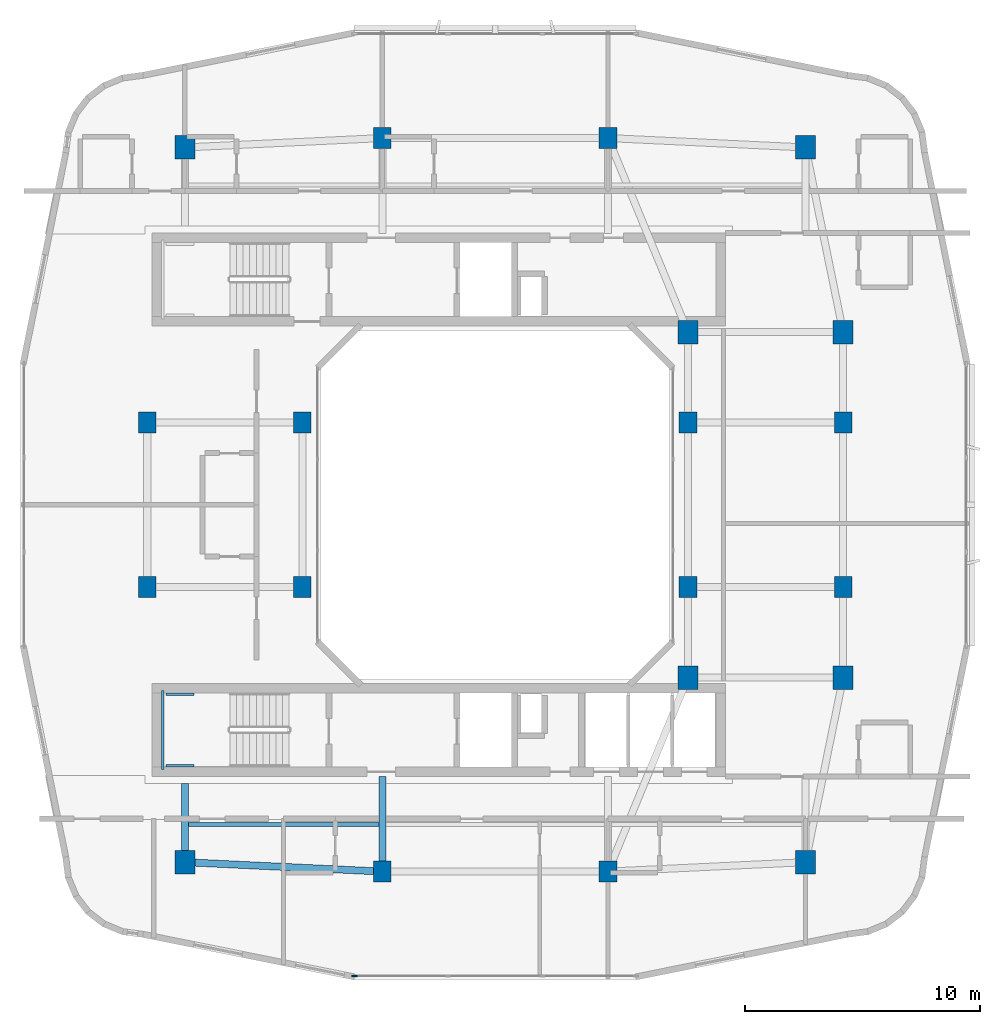
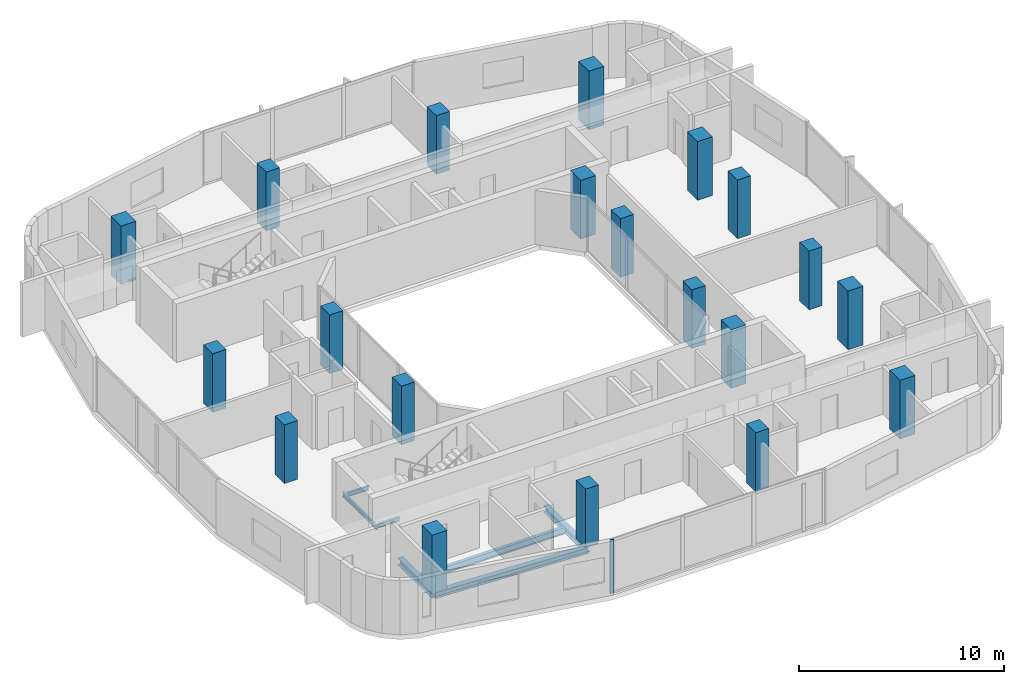
# One storey, part 1 of 14: 20 columns, 7 beams, 1 member, 1 element without a shape of its own.
"""IFC4 building model written with IfcOpenShell, lengths in metres."""

import ifcopenshell
import ifcopenshell.guid

model = None  # the IFC model being written
_history = None  # IfcOwnerHistory: only IFC2X3 demands one
_inside = {}  # id of a spatial element -> (the spatial element, [elements in it])
_under = {}  # id of a project, library or spatial element -> (it, [spatial elements below it])
_declared = {}  # id of a project -> (the project, [libraries it declares])
_typed = {}  # id of a type object -> (the type object, [elements of that type])
_made_of = {}  # id of a material, layer set ... -> (it, [elements and type objects made of it])


def new_model(schema):
    """Start an empty IFC model of exactly this schema.

    Asked for "IFC4X3", IfcOpenShell would pick the latest addendum, in which some entities
    have other attributes; the version numbers below select the first issue.
    IFC2X3 requires an IfcOwnerHistory on every rooted entity: one is made here for all.
    """
    global model, _history
    if schema == "IFC4X3":
        model = ifcopenshell.file(schema_version=(4, 3, 0, 0))
    else:
        model = ifcopenshell.file(schema=schema)
    _inside.clear()
    _under.clear()
    _declared.clear()
    _typed.clear()
    _made_of.clear()
    _history = None
    if model.schema == "IFC2X3":
        org = make("IfcOrganization", Name="unknown")
        user = make(
            "IfcPersonAndOrganization",
            ThePerson=make("IfcPerson", FamilyName="unknown"),
            TheOrganization=org,
        )
        app = make(
            "IfcApplication",
            ApplicationDeveloper=org,
            Version="unknown",
            ApplicationFullName="unknown",
            ApplicationIdentifier="unknown",
        )
        _history = make(
            "IfcOwnerHistory",
            OwningUser=user,
            OwningApplication=app,
            ChangeAction="ADDED",
            CreationDate=0,
        )
    return model


def make(cls, **values):
    """One entity of the class cls with the attributes given. An attribute that is None is left unset."""
    return model.create_entity(
        cls, **{name: value for name, value in values.items() if value is not None}
    )


def rooted(cls, **values):
    """An entity with a GlobalId (a new one), such as an element, a storey or a relation."""
    return make(cls, GlobalId=ifcopenshell.guid.new(), OwnerHistory=_history, **values)


def si_unit(unit_type, name, prefix=None):
    """IfcSIUnit, for example si_unit("LENGTHUNIT", "METRE", prefix="MILLI")."""
    return make("IfcSIUnit", UnitType=unit_type, Prefix=prefix, Name=name)


def derived_unit(unit_type, elements):
    """IfcDerivedUnit: a product of units, each with its exponent."""
    return make(
        "IfcDerivedUnit",
        Elements=[
            make("IfcDerivedUnitElement", Unit=unit, Exponent=power)
            for unit, power in elements
        ],
        UnitType=unit_type,
    )


def assignment(units):
    """IfcUnitAssignment: the units of a project."""
    return None if units is None else make("IfcUnitAssignment", Units=units)


def point(xyz):
    """IfcCartesianPoint."""
    return None if xyz is None else make("IfcCartesianPoint", Coordinates=xyz)


def direction(xyz):
    """IfcDirection."""
    return None if xyz is None else make("IfcDirection", DirectionRatios=xyz)


def frame(location, z_axis=None, x_axis=None):
    """IfcAxis2Placement3D, a coordinate frame: its origin and axes. An axis left out is left unset."""
    return make(
        "IfcAxis2Placement3D",
        Location=point(location),
        Axis=direction(z_axis),
        RefDirection=direction(x_axis),
    )


def frame_2d(location, x_axis=None):
    """IfcAxis2Placement2D, a coordinate frame in the plane: its origin and x axis."""
    return make(
        "IfcAxis2Placement2D", Location=point(location), RefDirection=direction(x_axis)
    )


def origin():
    """The frame at (0, 0, 0) with its axes left unset."""
    return frame((0.0, 0.0, 0.0))


def origin_2d():
    """The frame at (0, 0) in the plane with its x axis left unset."""
    return frame_2d((0.0, 0.0))


def place(relative_to, where):
    """IfcLocalPlacement: puts the frame where relative to a parent placement (None: the world)."""
    return make(
        "IfcLocalPlacement", PlacementRelTo=relative_to, RelativePlacement=where
    )


def context(
    kind, dimensions, precision=None, world=None, true_north=None, identifier=None
):
    """IfcGeometricRepresentationContext, for example the 3D "Model" context."""
    return make(
        "IfcGeometricRepresentationContext",
        ContextIdentifier=identifier,
        ContextType=kind,
        CoordinateSpaceDimension=dimensions,
        Precision=precision,
        WorldCoordinateSystem=world,
        TrueNorth=true_north,
    )


def subcontext(parent, identifier, kind, view, scale=None):
    """IfcGeometricRepresentationSubContext, for example "Body" below "Model"."""
    return make(
        "IfcGeometricRepresentationSubContext",
        ContextIdentifier=identifier,
        ContextType=kind,
        ParentContext=parent,
        TargetScale=scale,
        TargetView=view,
    )


def project(units=None, contexts=None):
    """IfcProject with its units and contexts."""
    return rooted(
        "IfcProject",
        Name="project",
        RepresentationContexts=contexts,
        UnitsInContext=assignment(units),
    )


def spatial(cls, under=None, at=None, **own):
    """A site, building, storey or space (cls), placed at a placement, below another one or the project."""
    s = rooted(cls, ObjectPlacement=at, **own)
    if under is not None:
        _under.setdefault(under.id(), (under, []))[1].append(s)
    return s


def profile(cls, at=None, kind="AREA", **sizes):
    """A parametric profile (cls). Its sizes go by their IFC names, for example OverallWidth=200.0."""
    return make(cls, ProfileType=kind, Position=at, **sizes)


def rectangle(**sizes):
    """IfcRectangleProfileDef."""
    return profile("IfcRectangleProfileDef", **sizes)


def i_section(**sizes):
    """IfcIShapeProfileDef."""
    return profile("IfcIShapeProfileDef", **sizes)


def extrude(swept, where, along, depth):
    """IfcExtrudedAreaSolid: the profile swept, set in the frame where, extruded along a direction by depth."""
    return make(
        "IfcExtrudedAreaSolid",
        SweptArea=swept,
        Position=where,
        ExtrudedDirection=direction(along),
        Depth=depth,
    )


def shape(context_of_items, identifier, shape_type, items):
    """IfcShapeRepresentation: the items that make up one representation, for example the "Body"."""
    return make(
        "IfcShapeRepresentation",
        ContextOfItems=context_of_items,
        RepresentationIdentifier=identifier,
        RepresentationType=shape_type,
        Items=items,
    )


def material(Name=None, Category=None):
    """IfcMaterial."""
    return make("IfcMaterial", Name=Name, Category=Category)


def layer(
    of_material, thickness, ventilated=None, Name=None, Category=None, Priority=None
):
    """IfcMaterialLayer: one layer of a wall or slab, of a material (None: an air gap)."""
    return make(
        "IfcMaterialLayer",
        Material=of_material,
        LayerThickness=thickness,
        IsVentilated=ventilated,
        Name=Name,
        Category=Category,
        Priority=Priority,
    )


def layer_set(layers, Name=None):
    """IfcMaterialLayerSet."""
    return make("IfcMaterialLayerSet", MaterialLayers=layers, LayerSetName=Name)


def material_profile(
    of_material, cross_section, Name=None, Category=None, Priority=None
):
    """IfcMaterialProfile: a cross section and its material."""
    return make(
        "IfcMaterialProfile",
        Name=Name,
        Material=of_material,
        Profile=cross_section,
        Priority=Priority,
        Category=Category,
    )


def profile_set(profiles, Name=None, composite=None):
    """IfcMaterialProfileSet."""
    return make(
        "IfcMaterialProfileSet",
        Name=Name,
        MaterialProfiles=profiles,
        CompositeProfile=composite,
    )


def made_of(thing, what):
    """Note that an element or type object is made of a material, layer set ...; save() writes the relation."""
    if what is not None:
        _made_of.setdefault(what.id(), (what, []))[1].append(thing)
    return thing


def type_object(cls, material=None, **own):
    """A type object (cls), such as IfcWallType, which elements share."""
    return made_of(rooted(cls, **own), material)


def element(
    cls,
    number,
    at=None,
    inside=None,
    cuts=None,
    type_object=None,
    material=None,
    context=None,
    identifier="Body",
    shape_type=None,
    held_by="IfcProductDefinitionShape",
    body=None,
    shapes=None,
    **own,
):
    """One element of the class cls, such as IfcWall. Its Tag is "e" and its number.

    at: its placement. inside: the storey or other place that contains it. cuts: it is an
    opening in that element (IfcRelVoidsElement). A single representation is given by context,
    identifier, shape_type and body (its items); several are given by shapes. held_by: the class
    of the entity that holds the representations. save() writes the other relations.
    """
    e = rooted(cls, Tag="e%d" % number, ObjectPlacement=at, **own)
    if body is not None:
        shapes = [shape(context, identifier, shape_type, body)]
    if shapes is not None:
        e.Representation = make(held_by, Representations=shapes)
    if inside is not None:
        _inside.setdefault(inside.id(), (inside, []))[1].append(e)
    if cuts is not None:
        rooted(
            "IfcRelVoidsElement", RelatingBuildingElement=cuts, RelatedOpeningElement=e
        )
    if type_object is not None:
        _typed.setdefault(type_object.id(), (type_object, []))[1].append(e)
    return made_of(e, material)


def aggregate(whole, parts):
    """IfcRelAggregates: a whole, such as a stair, and the parts it consists of."""
    return rooted("IfcRelAggregates", RelatingObject=whole, RelatedObjects=parts)


def save(model, path):
    """Write the relations noted so far, then the file.

    IfcRelAggregates (storeys below a building ...), IfcRelContainedInSpatialStructure (elements
    in a storey), IfcRelDefinesByType, IfcRelAssociatesMaterial and IfcRelDeclares: one each for
    every whole, place, type object, material and project.
    """
    for whole, parts in _under.values():
        aggregate(whole, parts)
    for where, things in _inside.values():
        rooted(
            "IfcRelContainedInSpatialStructure",
            RelatedElements=things,
            RelatingStructure=where,
        )
    for kind, things in _typed.values():
        rooted("IfcRelDefinesByType", RelatedObjects=things, RelatingType=kind)
    for what, things in _made_of.values():
        rooted("IfcRelAssociatesMaterial", RelatedObjects=things, RelatingMaterial=what)
    for by, libraries in _declared.values():
        rooted("IfcRelDeclares", RelatingContext=by, RelatedDefinitions=libraries)
    model.write(path)


model = new_model("IFC4")

# Units and contexts
model_context = context("Model", 3, precision=1e-05, world=origin(), true_north=direction((0.0, 1.0)))
body_context = subcontext(model_context, "Body", "Model", "MODEL_VIEW")
ifc_project = project(units=[si_unit("LENGTHUNIT", "METRE"), si_unit("AREAUNIT", "SQUARE_METRE"), si_unit("VOLUMEUNIT", "CUBIC_METRE"), si_unit("PLANEANGLEUNIT", "RADIAN"), si_unit("MASSUNIT", "GRAM", prefix="KILO"), derived_unit("THERMALTRANSMITTANCEUNIT", [(si_unit("POWERUNIT", "WATT"), 1), (si_unit("LENGTHUNIT", "METRE"), -2), (si_unit("THERMODYNAMICTEMPERATUREUNIT", "KELVIN"), -1)])], contexts=[model_context])

# Site, building, storey
site_placement = place(None, origin())
site = spatial("IfcSite", under=ifc_project, at=site_placement, CompositionType="ELEMENT")
building_placement = place(site_placement, origin())
building = spatial("IfcBuilding", under=site, at=building_placement, Name="Kivonza Crest Hotel", CompositionType="ELEMENT")
storey_placement = place(building_placement, frame((0.0, 0.0, 159.0)))
storey = spatial("IfcBuildingStorey", under=building, at=storey_placement, Name="L43", CompositionType="ELEMENT", Elevation=159.0)

# Columns
ifc_material_1 = material(Name="Concrete C50/60", Category="concrete")
ifc_material_profile_1 = material_profile(ifc_material_1, rectangle(XDim=0.85009765625, YDim=1.0, at=origin_2d()), Name="RC 1000x850")
ifc_profile_set_1 = profile_set([ifc_material_profile_1], Name="Concrete C50/60")
column_type_1 = type_object("IfcColumnType", Name="CL-RC-1000x850", PredefinedType="COLUMN", material=ifc_profile_set_1)
for number, where, z_axis, x_axis, name in (
    (1, (7.800048828125, 9.800048828125, 0.0), (0.0, 0.0, 1.0), (1.0, 0.0, 0.0), "Tower T1 L43 column SW"),
    (2, (34.199951171875, 9.800048828125, 0.0), (0.0, 0.0, 1.0), (1.0, 0.0, 0.0), "Tower T1 L43 column SE"),
    (3, (34.199951171875, 40.199951171875, 0.0), (0.0, 0.0, 1.0), (1.0, 0.0, 0.0), "Tower T1 L43 column NE"),
    (4, (7.800048828125, 40.199951171875, 0.0), (0.0, 0.0, 1.0), (1.0, 0.0, 0.0), "Tower T1 L43 column NW"),
    (5, (35.800048828125, 17.64990234375, 0.0), (0.0, 0.0, 1.0), (1.0, 0.0, 0.0), "Tower T1 L43 column PSE"),
    (6, (35.800048828125, 32.35009765625, 0.0), (0.0, 0.0, 1.0), (1.0, 0.0, 0.0), "Tower T1 L43 column PNE"),
    (7, (29.199951171875, 17.64990234375, 0.0), (0.0, 0.0, 1.0), (1.0, 0.0, 0.0), "Tower T1 L43 column TSE"),
    (8, (29.199951171875, 32.35009765625, 0.0), (0.0, 0.0, 1.0), (1.0, 0.0, 0.0), "Tower T1 L43 column TNE"),
):
    element("IfcColumn", number, at=place(storey_placement, frame(where, z_axis=z_axis, x_axis=x_axis)), inside=storey, type_object=column_type_1, Name=name, PredefinedType="COLUMN", context=body_context, shape_type="SweptSolid", body=[
        extrude(rectangle(XDim=0.85009765625, YDim=1.0, at=origin_2d()), origin(), (0.0, 0.0, 1.0), 3.5),
    ])
ifc_material_profile_2 = material_profile(ifc_material_1, rectangle(XDim=0.75, YDim=0.89990234375, at=origin_2d()), Name="RC 900x750")
ifc_profile_set_2 = profile_set([ifc_material_profile_2], Name="Concrete C50/60")
column_type_2 = type_object("IfcColumnType", Name="CL-RC-900x750", PredefinedType="COLUMN", material=ifc_profile_set_2)
for number, where, z_axis, x_axis, name in (
    (9, (16.199951171875, 9.39990234375, 0.0), (0.0, 0.0, 1.0), (1.0, 0.0, 0.0), "Tower T1 L43 column S1"),
    (10, (25.800048828125, 9.39990234375, 0.0), (0.0, 0.0, 1.0), (1.0, 0.0, 0.0), "Tower T1 L43 column S2"),
    (11, (16.199951171875, 40.60009765625, 0.0), (0.0, 0.0, 1.0), (1.0, 0.0, 0.0), "Tower T1 L43 column N1"),
    (12, (25.800048828125, 40.60009765625, 0.0), (0.0, 0.0, 1.0), (1.0, 0.0, 0.0), "Tower T1 L43 column N2"),
    (13, (6.199951171875, 21.5, 0.0), (0.0, 0.0, 1.0), (1.0, 0.0, 0.0), "Tower T1 L43 column W1"),
    (14, (6.199951171875, 28.5, 0.0), (0.0, 0.0, 1.0), (1.0, 0.0, 0.0), "Tower T1 L43 column W2"),
    (15, (35.800048828125, 21.5, 0.0), (0.0, 0.0, 1.0), (1.0, 0.0, 0.0), "Tower T1 L43 column E1"),
    (16, (35.800048828125, 28.5, 0.0), (0.0, 0.0, 1.0), (1.0, 0.0, 0.0), "Tower T1 L43 column E2"),
    (17, (12.800048828125, 21.5, 0.0), (0.0, 0.0, 1.0), (1.0, 0.0, 0.0), "Tower T1 L43 column WL1"),
    (18, (12.800048828125, 28.5, 0.0), (0.0, 0.0, 1.0), (1.0, 0.0, 0.0), "Tower T1 L43 column WL2"),
    (19, (29.199951171875, 21.5, 0.0), (0.0, 0.0, 1.0), (1.0, 0.0, 0.0), "Tower T1 L43 column WR1"),
    (20, (29.199951171875, 28.5, 0.0), (0.0, 0.0, 1.0), (1.0, 0.0, 0.0), "Tower T1 L43 column WR2"),
):
    element("IfcColumn", number, at=place(storey_placement, frame(where, z_axis=z_axis, x_axis=x_axis)), inside=storey, type_object=column_type_2, Name=name, PredefinedType="COLUMN", context=body_context, shape_type="SweptSolid", body=[
        extrude(rectangle(XDim=0.75, YDim=0.89990234375, at=origin_2d()), origin(), (0.0, 0.0, 1.0), 3.5),
    ])

# Beams
ifc_material_2 = material(Name="Steel S355", Category="steel")
ifc_material_profile_3 = material_profile(ifc_material_2, i_section(OverallWidth=0.300048828125, OverallDepth=0.360107421875, WebThickness=0.012451171875, FlangeThickness=0.0224609375, FilletRadius=0.027099609375, at=origin_2d()), Name="HEB 360")
ifc_profile_set_3 = profile_set([ifc_material_profile_3], Name="Steel S355")
beam_type_1 = type_object("IfcBeamType", Name="BM-HEB360", PredefinedType="SPANDREL", material=ifc_profile_set_3)
beam_1_placement = place(storey_placement, frame((7.800048828125, 9.800048828125, -0.4599609375), z_axis=(0.998867283688, -0.047583080799, 0.0), x_axis=(0.047583080799, 0.998867283688, 0.0)))
element("IfcBeam", 21, at=beam_1_placement, inside=storey, type_object=beam_type_1, Name="Tower T1 L43 perimeter spandrel SW-S1", PredefinedType="SPANDREL", context=body_context, shape_type="SweptSolid", body=[
    extrude(i_section(OverallWidth=0.300048828125, OverallDepth=0.360107421875, WebThickness=0.012451171875, FlangeThickness=0.0224609375, FilletRadius=0.027099609375, at=origin_2d()), origin(), (0.0, 0.0, 1.0), 8.409423828125),
])
ifc_material_profile_4 = material_profile(ifc_material_2, i_section(OverallWidth=0.300048828125, OverallDepth=0.39990234375, WebThickness=0.013427734375, FlangeThickness=0.02392578125, FilletRadius=0.027099609375, at=origin_2d()), Name="HEB 400")
ifc_profile_set_4 = profile_set([ifc_material_profile_4], Name="Steel S355")
beam_type_2 = type_object("IfcBeamType", Name="BM-HEB400", PredefinedType="BEAM", material=ifc_profile_set_4)
beam_2_placement = place(storey_placement, frame((7.800048828125, 9.800048828125, -0.47998046875), z_axis=(0.0, 1.0, 0.0), x_axis=(-1.0, 0.0, 0.0)))
element("IfcBeam", 22, at=beam_2_placement, inside=storey, type_object=beam_type_2, Name="Tower T1 L43 radial core girder RSW", PredefinedType="BEAM", context=body_context, shape_type="SweptSolid", body=[
    extrude(i_section(OverallWidth=0.300048828125, OverallDepth=0.39990234375, WebThickness=0.013427734375, FlangeThickness=0.02392578125, FilletRadius=0.027099609375, at=origin_2d()), origin(), (0.0, 0.0, 1.0), 3.349853515625),
])
beam_3_placement = place(storey_placement, frame((16.199951171875, 9.39990234375, -0.47998046875), z_axis=(0.0, 1.0, 0.0), x_axis=(-1.0, 0.0, 0.0)))
element("IfcBeam", 23, at=beam_3_placement, inside=storey, type_object=beam_type_2, Name="Tower T1 L43 radial core girder RS1", PredefinedType="BEAM", context=body_context, shape_type="SweptSolid", body=[
    extrude(i_section(OverallWidth=0.300048828125, OverallDepth=0.39990234375, WebThickness=0.013427734375, FlangeThickness=0.02392578125, FilletRadius=0.027099609375, at=origin_2d()), origin(), (0.0, 0.0, 1.0), 4.050048828125),
])
ifc_material_profile_5 = material_profile(ifc_material_2, i_section(OverallWidth=0.179931640625, OverallDepth=0.39990234375, WebThickness=0.008544921875, FlangeThickness=0.013427734375, FilletRadius=0.02099609375, at=origin_2d()), Name="IPE 400")
ifc_profile_set_5 = profile_set([ifc_material_profile_5], Name="Steel S355")
beam_type_3 = type_object("IfcBeamType", Name="BM-IPE400", PredefinedType="JOIST", material=ifc_profile_set_5)
beam_4_placement = place(storey_placement, frame((7.8798828125, 11.39990234375, -0.47998046875), z_axis=(1.0, 0.0, 0.0), x_axis=(0.0, 1.0, 0.0)))
element("IfcBeam", 24, at=beam_4_placement, inside=storey, type_object=beam_type_3, Name="Tower T1 L43 South-West floor joist", PredefinedType="JOIST", context=body_context, shape_type="SweptSolid", body=[
    extrude(i_section(OverallWidth=0.179931640625, OverallDepth=0.39990234375, WebThickness=0.008544921875, FlangeThickness=0.013427734375, FilletRadius=0.02099609375, at=origin_2d()), origin(), (0.0, 0.0, 1.0), 8.240234375),
])
ifc_material_profile_6 = material_profile(ifc_material_2, i_section(OverallWidth=0.1201171875, OverallDepth=0.239990234375, WebThickness=0.006103515625, FlangeThickness=0.009765625, FilletRadius=0.014892578125, at=origin_2d()), Name="IPE 240")
ifc_profile_set_6 = profile_set([ifc_material_profile_6], Name="Steel S355")
beam_type_4 = type_object("IfcBeamType", Name="BM-LLDG-240", PredefinedType="BEAM", material=ifc_profile_set_6)
beam_5_placement = place(storey_placement, frame((6.860107421875, 13.739990234375, 1.429931640625), z_axis=(0.0, 1.0, 0.0), x_axis=(-1.0, 0.0, 0.0)))
element("IfcBeam", 25, at=beam_5_placement, inside=storey, type_object=beam_type_4, Name="Stair ST-T1-S L43 West landing corbel", PredefinedType="BEAM", context=body_context, shape_type="SweptSolid", body=[
    extrude(i_section(OverallWidth=0.1201171875, OverallDepth=0.239990234375, WebThickness=0.006103515625, FlangeThickness=0.009765625, FilletRadius=0.014892578125, at=origin_2d()), origin(), (0.0, 0.0, 1.0), 3.360107421875),
])
for number, where, z_axis, x_axis, name in (
    (26, (6.989990234375, 13.89990234375, 1.429931640625), (1.0, 0.0, 0.0), (0.0, 1.0, 0.0), "Stair ST-T1-S L43 South landing corbel"),
    (27, (6.989990234375, 16.93994140625, 1.429931640625), (1.0, 0.0, 0.0), (0.0, 1.0, 0.0), "Stair ST-T1-S L43 North landing corbel"),
):
    element("IfcBeam", number, at=place(storey_placement, frame(where, z_axis=z_axis, x_axis=x_axis)), inside=storey, type_object=beam_type_4, Name=name, PredefinedType="BEAM", context=body_context, shape_type="SweptSolid", body=[
        extrude(i_section(OverallWidth=0.1201171875, OverallDepth=0.239990234375, WebThickness=0.006103515625, FlangeThickness=0.009765625, FilletRadius=0.014892578125, at=origin_2d()), origin(), (0.0, 0.0, 1.0), 1.2099609375),
    ])

# Curtain wall, member
ifc_material_3 = material(Name="Anodised bronze aluminium and low-E double glazing", Category="aluminium")
ifc_layer = layer(ifc_material_3, 0.179931640625)
ifc_layer_set = layer_set([ifc_layer], Name="Anodised bronze aluminium and low-E double glazing")
curtain_wall_type = type_object("IfcCurtainWallType", Name="CW-SYS-3", PredefinedType="NOTDEFINED", material=ifc_layer_set)
curtain_wall_placement = place(storey_placement, origin())
curtain_wall = element("IfcCurtainWall", 28, at=curtain_wall_placement, inside=storey, type_object=curtain_wall_type, Name="L43 unitised curtain wall CW-T1-L43-08", PredefinedType="NOTDEFINED")
ifc_material_4 = material(Name="Anodised bronze aluminium", Category="aluminium")
ifc_material_profile_7 = material_profile(ifc_material_4, rectangle(XDim=0.074951171875, YDim=0.219970703125, at=origin_2d()), Name="CW-M 75x220")
ifc_profile_set_7 = profile_set([ifc_material_profile_7], Name="Anodised bronze aluminium")
member_type = type_object("IfcMemberType", Name="CW-MUL-75x220", PredefinedType="MULLION", material=ifc_profile_set_7)
member_placement = place(storey_placement, frame((15.017578125, 4.9599609375, 0.0), z_axis=(0.0, 0.0, 1.0), x_axis=(0.0, 1.0, 0.0)))
member = element("IfcMember", 29, at=member_placement, type_object=member_type, Name="CW-3 mullion 1", PredefinedType="MULLION", context=body_context, shape_type="SweptSolid", body=[
    extrude(rectangle(XDim=0.074951171875, YDim=0.219970703125, at=origin_2d()), origin(), (0.0, 0.0, 1.0), 3.219970703125),
])
aggregate(curtain_wall, [member])

save(model, "model.ifc")
